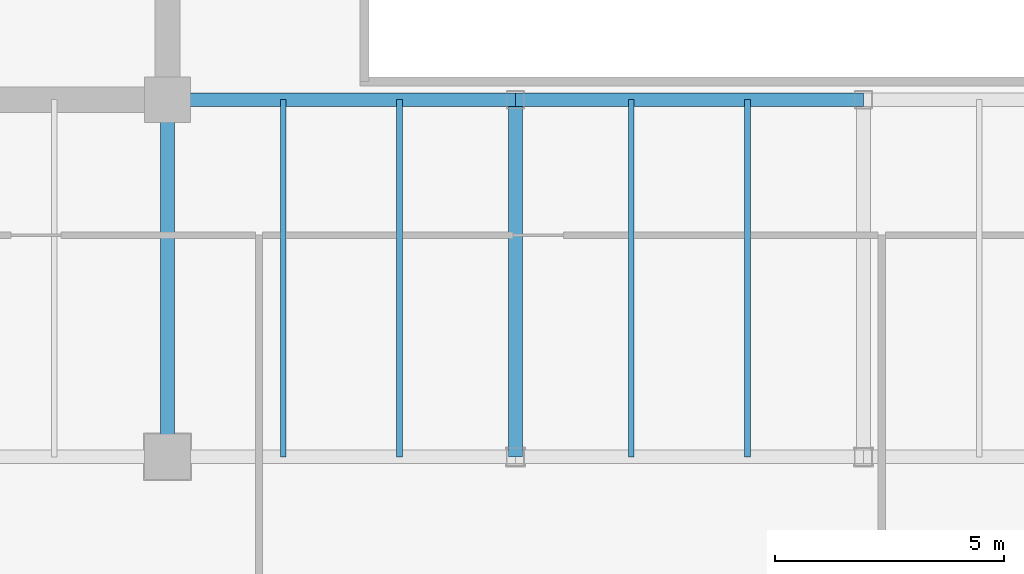
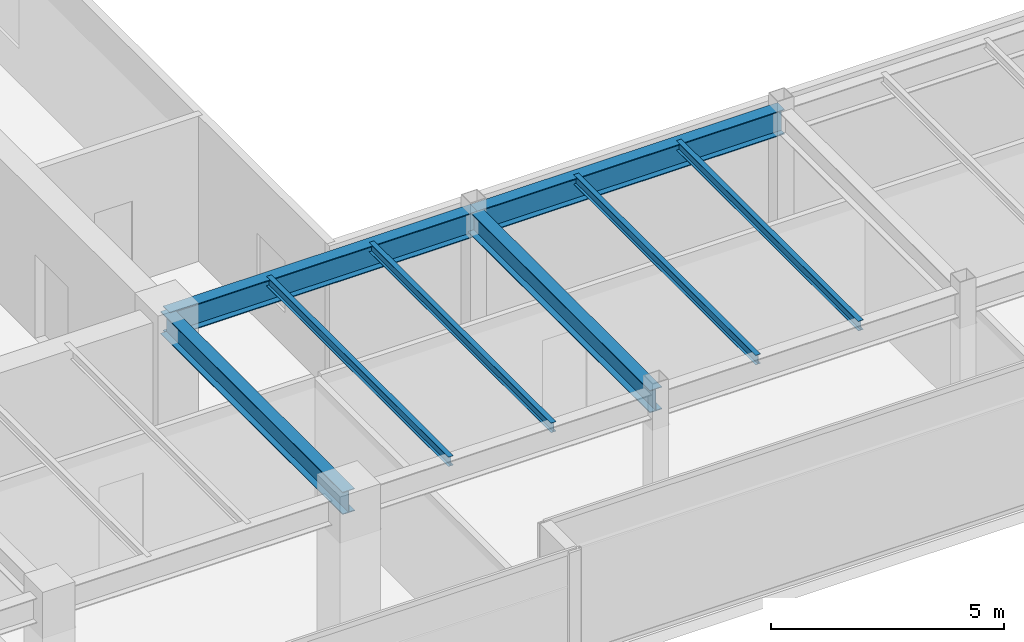
# One storey, part 8 of 36: 8 beams.
"""IFC4 building model written with IfcOpenShell, lengths in metres."""

from ifc_helpers import new_model, si_unit, direction, frame, origin, origin_2d, place, context, subcontext, project, spatial, i_section, extrude, source, transform, mapped, material, material_profile, profile_set, type_object, type_shapes, element, save


model = new_model("IFC4")

# Units and contexts
model_context = context("Model", 3, precision=1e-05, world=origin(), true_north=direction((0.0, 1.0)))
body_context = subcontext(model_context, "Body", "Model", "MODEL_VIEW")
ifc_project = project(units=[si_unit("LENGTHUNIT", "METRE"), si_unit("AREAUNIT", "SQUARE_METRE"), si_unit("VOLUMEUNIT", "CUBIC_METRE"), si_unit("PLANEANGLEUNIT", "RADIAN"), si_unit("MASSUNIT", "GRAM", prefix="KILO")], contexts=[model_context])

# Site, building, storey
site_placement = place(None, origin())
site = spatial("IfcSite", under=ifc_project, at=site_placement, CompositionType="ELEMENT")
building_placement = place(site_placement, origin())
building = spatial("IfcBuilding", under=site, at=building_placement, Name="Haelvirn Gate Laboratories", CompositionType="ELEMENT")
storey_placement = place(building_placement, frame((0.0, 0.0, 262.89990234375)))
storey = spatial("IfcBuildingStorey", under=building, at=storey_placement, Name="L63", CompositionType="ELEMENT", Elevation=262.89990234375)

# Beams
ifc_material = material(Name="Steel SM355", Category="steel")
ifc_material_profile_1 = material_profile(ifc_material, i_section(OverallWidth=0.300048828125, OverallDepth=0.587890625, WebThickness=0.011962890625, FlangeThickness=0.02001953125, at=origin_2d()), Name="H-588x300x12x20")
ifc_profile_set_1 = profile_set([ifc_material_profile_1], Name="Steel SM355")
beam_type_1 = type_object("IfcBeamType", Name="BM-G-588", PredefinedType="BEAM", material=ifc_profile_set_1)
shared_shape_1 = source(origin(), body_context, "Body", "SweptSolid", [
    extrude(i_section(OverallWidth=0.300048828125, OverallDepth=0.587890625, WebThickness=0.011962890625, FlangeThickness=0.02001953125, at=origin_2d()), origin(), (0.0, 0.0, 1.0), 7.800048828125),
])
type_shapes(beam_type_1, [shared_shape_1])
for number, where, z_axis, x_axis, name in (
    (1, (22.199951171875, 7.0, 3.506103515625), (0.0, 1.0, 0.0), (-1.0, 0.0, 0.0), "L63 Frame Girder X22.2 (7.0-14.8)"),
    (2, (29.800048828125, 7.0, 3.506103515625), (0.0, 1.0, 0.0), (-1.0, 0.0, 0.0), "L63 Frame Girder X29.8 (7.0-14.8)"),
):
    element("IfcBeam", number, at=place(storey_placement, frame(where, z_axis=z_axis, x_axis=x_axis)), inside=storey, type_object=beam_type_1, Name=name, PredefinedType="BEAM", context=body_context, shape_type="MappedRepresentation", body=[
        mapped(shared_shape_1, transform((0.0, 0.0, 0.0), scale=1.0)),
    ])
ifc_material_profile_2 = material_profile(ifc_material, i_section(OverallWidth=0.300048828125, OverallDepth=0.64990234375, WebThickness=0.012939453125, FlangeThickness=0.02197265625, at=origin_2d()), Name="H-650x300x13x22")
ifc_profile_set_2 = profile_set([ifc_material_profile_2], Name="Steel SM355")
beam_type_2 = type_object("IfcBeamType", Name="BM-G-650", PredefinedType="BEAM", material=ifc_profile_set_2)
shared_shape_2 = source(origin(), body_context, "Body", "SweptSolid", [
    extrude(i_section(OverallWidth=0.300048828125, OverallDepth=0.64990234375, WebThickness=0.012939453125, FlangeThickness=0.02197265625, at=origin_2d()), origin(), (0.0, 0.0, 1.0), 7.60009765625),
])
beam_1_placement = place(storey_placement, frame((22.199951171875, 14.800048828125, 3.47509765625), z_axis=(1.0, 0.0, 0.0), x_axis=(0.0, 1.0, 0.0)))
element("IfcBeam", 3, at=beam_1_placement, inside=storey, type_object=beam_type_2, Name="L63 Primary Girder Y14.8 (22.2-29.8)", PredefinedType="BEAM", context=body_context, shape_type="MappedRepresentation", body=[
    mapped(shared_shape_2, transform((0.0, 0.0, 0.0), scale=1.0)),
])
shared_shape_3 = source(origin(), body_context, "Body", "SweptSolid", [
    extrude(i_section(OverallWidth=0.300048828125, OverallDepth=0.64990234375, WebThickness=0.012939453125, FlangeThickness=0.02197265625, at=origin_2d()), origin(), (0.0, 0.0, 1.0), 7.599853515625),
])
type_shapes(beam_type_2, [shared_shape_2, shared_shape_3])
beam_2_placement = place(storey_placement, frame((29.800048828125, 14.800048828125, 3.47509765625), z_axis=(1.0, 0.0, 0.0), x_axis=(0.0, 1.0, 0.0)))
element("IfcBeam", 4, at=beam_2_placement, inside=storey, type_object=beam_type_2, Name="L63 Primary Girder Y14.8 (29.8-37.4)", PredefinedType="BEAM", context=body_context, shape_type="MappedRepresentation", body=[
    mapped(shared_shape_3, transform((0.0, 0.0, 0.0), scale=1.0)),
])
ifc_material_profile_3 = material_profile(ifc_material, i_section(OverallWidth=0.125, OverallDepth=0.25, WebThickness=0.006103515625, FlangeThickness=0.009033203125, at=origin_2d()), Name="H-250x125x6x9")
ifc_profile_set_3 = profile_set([ifc_material_profile_3], Name="Steel SM355")
beam_type_3 = type_object("IfcBeamType", Name="BM-J-250", PredefinedType="JOIST", material=ifc_profile_set_3)
shared_shape_4 = source(origin(), body_context, "Body", "SweptSolid", [
    extrude(i_section(OverallWidth=0.125, OverallDepth=0.25, WebThickness=0.006103515625, FlangeThickness=0.009033203125, at=origin_2d()), origin(), (0.0, 0.0, 1.0), 7.800048828125),
])
type_shapes(beam_type_3, [shared_shape_4])
for number, where, z_axis, x_axis, name in (
    (5, (24.72998046875, 7.0, 3.675048828125), (0.0, 1.0, 0.0), (-1.0, 0.0, 0.0), "L63 Composite Lab Joist South X24.73"),
    (6, (27.27001953125, 7.0, 3.675048828125), (0.0, 1.0, 0.0), (-1.0, 0.0, 0.0), "L63 Composite Lab Joist South X27.27"),
    (7, (32.330078125, 7.0, 3.675048828125), (0.0, 1.0, 0.0), (-1.0, 0.0, 0.0), "L63 Composite Lab Joist South X32.33"),
    (8, (34.8701171875, 7.0, 3.675048828125), (0.0, 1.0, 0.0), (-1.0, 0.0, 0.0), "L63 Composite Lab Joist South X34.87"),
):
    element("IfcBeam", number, at=place(storey_placement, frame(where, z_axis=z_axis, x_axis=x_axis)), inside=storey, type_object=beam_type_3, Name=name, PredefinedType="JOIST", context=body_context, shape_type="MappedRepresentation", body=[
        mapped(shared_shape_4, transform((0.0, 0.0, 0.0), scale=1.0)),
    ])

save(model, "model.ifc")
